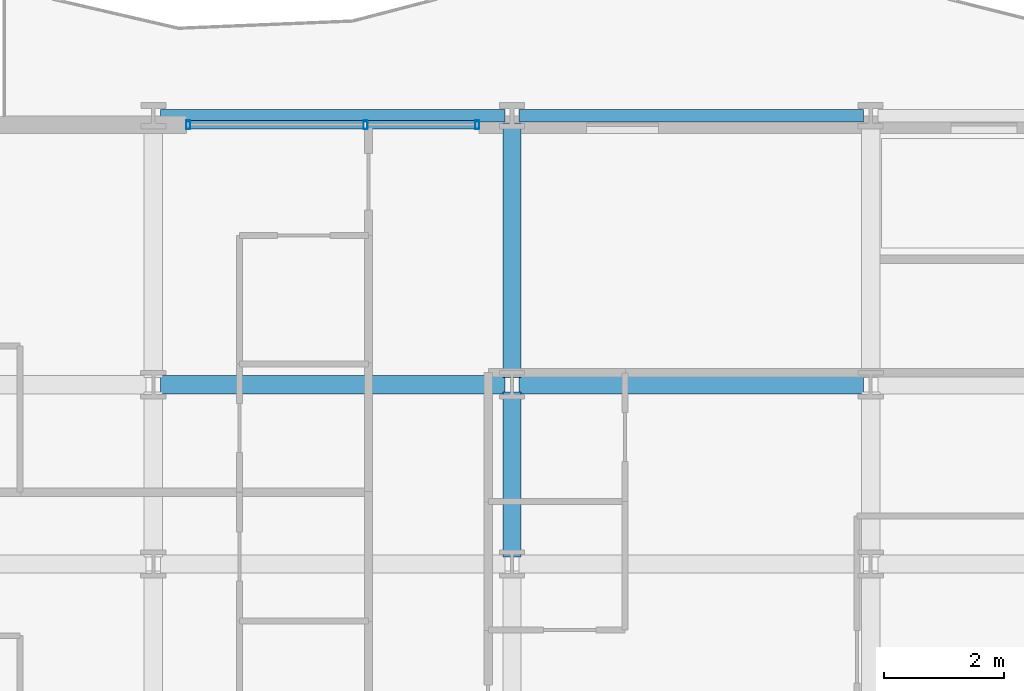
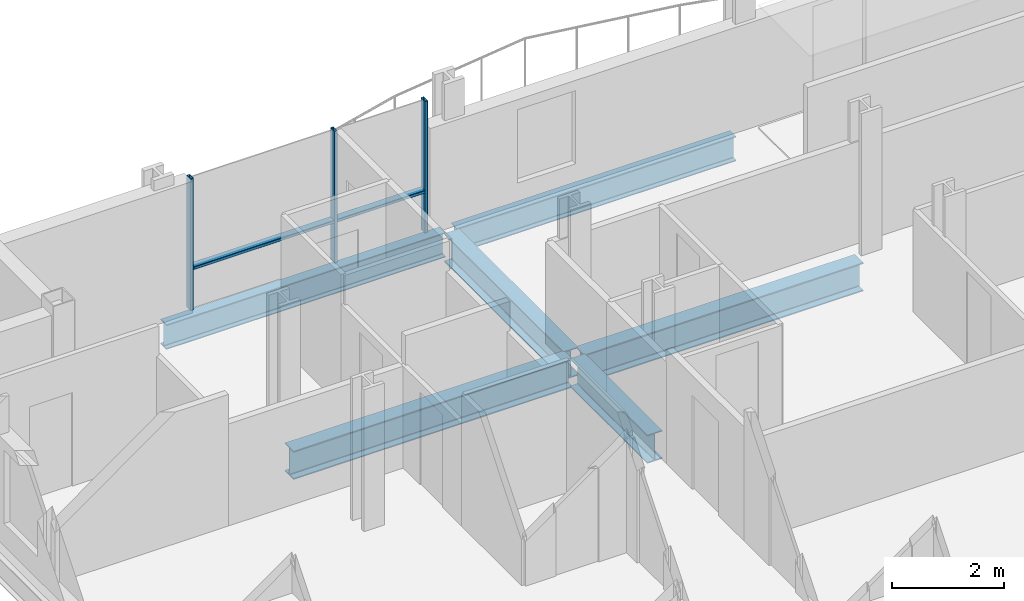
# One storey, part 7 of 39: 6 beams, 5 members, 1 element without a shape of its own.
"""IFC4 building model written with IfcOpenShell, lengths in metres."""

from ifc_helpers import new_model, si_unit, direction, frame, origin, origin_2d, place, context, subcontext, project, spatial, hollow_rectangle, i_section, extrude, material, layer, layer_set, material_profile, profile_set, type_object, element, aggregate, save


model = new_model("IFC4")

# Units and contexts
model_context = context("Model", 3, precision=1e-05, world=origin(), true_north=direction((0.0, 1.0)))
body_context = subcontext(model_context, "Body", "Model", "MODEL_VIEW")
ifc_project = project(units=[si_unit("LENGTHUNIT", "METRE"), si_unit("AREAUNIT", "SQUARE_METRE"), si_unit("VOLUMEUNIT", "CUBIC_METRE"), si_unit("PLANEANGLEUNIT", "RADIAN"), si_unit("MASSUNIT", "GRAM", prefix="KILO")], contexts=[model_context])

# Site, building, storey
site_placement = place(None, origin())
site = spatial("IfcSite", under=ifc_project, at=site_placement, CompositionType="ELEMENT")
building_placement = place(site_placement, origin())
building = spatial("IfcBuilding", under=site, at=building_placement, Name="Brevholm Reach", CompositionType="ELEMENT")
storey_placement = place(building_placement, frame((0.0, 0.0, 34.199951171875)))
storey = spatial("IfcBuildingStorey", under=building, at=storey_placement, Name="L08", CompositionType="ELEMENT", Elevation=34.199951171875)

# Beams
ifc_material_1 = material(Name="Structural Steel S355J2", Category="steel")
ifc_material_profile_1 = material_profile(ifc_material_1, i_section(OverallWidth=0.210693359375, OverallDepth=0.53955078125, WebThickness=0.01171875, FlangeThickness=0.018798828125, FilletRadius=0.0126953125, at=origin_2d()), Name="UKB 533x210x109")
ifc_profile_set_1 = profile_set([ifc_material_profile_1], Name="Structural Steel S355J2")
beam_type_1 = type_object("IfcBeamType", Name="BM-SP539", PredefinedType="SPANDREL", material=ifc_profile_set_1)
for number, where, z_axis, x_axis, name in (
    (1, (6.1201171875, 31.0, -0.499755859375), (1.0, 0.0, 0.0), (0.0, 1.0, 0.0), "L08 SP-01B Framing Beam"),
    (2, (12.1201171875, 31.0, -0.499755859375), (1.0, 0.0, 0.0), (0.0, 1.0, 0.0), "L08 SP-01B Framing Beam"),
):
    element("IfcBeam", number, at=place(storey_placement, frame(where, z_axis=z_axis, x_axis=x_axis)), inside=storey, type_object=beam_type_1, Name=name, PredefinedType="SPANDREL", context=body_context, shape_type="SweptSolid", body=[
        extrude(i_section(OverallWidth=0.210693359375, OverallDepth=0.53955078125, WebThickness=0.01171875, FlangeThickness=0.018798828125, FilletRadius=0.0126953125, at=origin_2d()), origin(), (0.0, 0.0, 1.0), 5.759765625),
    ])
ifc_material_2 = material(Name="Structural Steel S355J2", Category="steel")
ifc_material_profile_2 = material_profile(ifc_material_2, i_section(OverallWidth=0.30712890625, OverallDepth=0.6201171875, WebThickness=0.01416015625, FlangeThickness=0.023681640625, FilletRadius=0.0166015625, at=origin_2d()), Name="UKB 610x305x179")
ifc_profile_set_2 = profile_set([ifc_material_profile_2], Name="Structural Steel S355J2")
beam_type_2 = type_object("IfcBeamType", Name="BM-UKB610H", PredefinedType="USERDEFINED", material=ifc_profile_set_2)
for number, where, z_axis, x_axis, name in (
    (3, (6.1201171875, 26.5, -0.5400390625), (1.0, 0.0, 0.0), (0.0, 1.0, 0.0), "L08 G-06 Framing Beam"),
    (4, (12.1201171875, 26.5, -0.5400390625), (1.0, 0.0, 0.0), (0.0, 1.0, 0.0), "L08 G-06 Framing Beam"),
):
    element("IfcBeam", number, at=place(storey_placement, frame(where, z_axis=z_axis, x_axis=x_axis)), inside=storey, type_object=beam_type_2, Name=name, ObjectType="GIRDER", PredefinedType="USERDEFINED", context=body_context, shape_type="SweptSolid", body=[
        extrude(i_section(OverallWidth=0.30712890625, OverallDepth=0.6201171875, WebThickness=0.01416015625, FlangeThickness=0.023681640625, FilletRadius=0.0166015625, at=origin_2d()), origin(), (0.0, 0.0, 1.0), 5.759765625),
    ])
beam_1_placement = place(storey_placement, frame((12.0, 23.6201171875, -0.5400390625), z_axis=(0.0, 1.0, 0.0), x_axis=(-1.0, 0.0, 0.0)))
element("IfcBeam", 5, at=beam_1_placement, inside=storey, type_object=beam_type_2, Name="L08 G-06 Framing Beam", ObjectType="GIRDER", PredefinedType="USERDEFINED", context=body_context, shape_type="SweptSolid", body=[
    extrude(i_section(OverallWidth=0.30712890625, OverallDepth=0.6201171875, WebThickness=0.01416015625, FlangeThickness=0.023681640625, FilletRadius=0.0166015625, at=origin_2d()), origin(), (0.0, 0.0, 1.0), 2.759765625),
])
beam_2_placement = place(storey_placement, frame((12.0, 26.6201171875, -0.5400390625), z_axis=(0.0, 1.0, 0.0), x_axis=(-1.0, 0.0, 0.0)))
element("IfcBeam", 6, at=beam_2_placement, inside=storey, type_object=beam_type_2, Name="L08 G-06 Framing Beam", ObjectType="GIRDER", PredefinedType="USERDEFINED", context=body_context, shape_type="SweptSolid", body=[
    extrude(i_section(OverallWidth=0.30712890625, OverallDepth=0.6201171875, WebThickness=0.01416015625, FlangeThickness=0.023681640625, FilletRadius=0.0166015625, at=origin_2d()), origin(), (0.0, 0.0, 1.0), 4.259765625),
])

# Curtain wall, members
ifc_material_3 = material(Name="Dark Anodised Aluminium 6063-T6 and Solar-Control Glass", Category="aluminium")
ifc_layer = layer(ifc_material_3, 0.14990234375)
ifc_layer_set = layer_set([ifc_layer], Name="Dark Anodised Aluminium 6063-T6 and Solar-Control Glass")
curtain_wall_type = type_object("IfcCurtainWallType", Name="CW-01", PredefinedType="NOTDEFINED", material=ifc_layer_set)
curtain_wall_placement = place(storey_placement, origin())
curtain_wall = element("IfcCurtainWall", 7, at=curtain_wall_placement, inside=storey, type_object=curtain_wall_type, Name="L08 Curtain Wall CW-01", PredefinedType="NOTDEFINED")
ifc_material_4 = material(Name="Dark Anodised Aluminium 6063-T6", Category="aluminium")
ifc_material_profile_3 = material_profile(ifc_material_4, hollow_rectangle(XDim=0.06494140625, YDim=0.14990234375, WallThickness=0.0048828125, InnerFilletRadius=0.0048828125, OuterFilletRadius=0.010009765625, at=origin_2d()), Name="RHS 150x65x5")
ifc_profile_set_3 = profile_set([ifc_material_profile_3], Name="Dark Anodised Aluminium 6063-T6")
member_type_1 = type_object("IfcMemberType", Name="CWM-150", PredefinedType="MULLION", material=ifc_profile_set_3)
member_1_placement = place(storey_placement, frame((6.58251953125, 30.85009765625, 0.0), z_axis=(0.0, 0.0, 1.0), x_axis=(1.0, 0.0, 0.0)))
member_1 = element("IfcMember", 8, at=member_1_placement, type_object=member_type_1, Name="CM-150 Mullion 1", PredefinedType="MULLION", context=body_context, shape_type="SweptSolid", body=[
    extrude(hollow_rectangle(XDim=0.06494140625, YDim=0.14990234375, WallThickness=0.0048828125, InnerFilletRadius=0.0048828125, OuterFilletRadius=0.010009765625, at=origin_2d()), origin(), (0.0, 0.0, 1.0), 2.8701171875),
])
member_2_placement = place(storey_placement, frame((9.550048828125, 30.85009765625, 0.0), z_axis=(0.0, 0.0, 1.0), x_axis=(1.0, 0.0, 0.0)))
member_2 = element("IfcMember", 9, at=member_2_placement, type_object=member_type_1, Name="CM-150 Mullion 2", PredefinedType="MULLION", context=body_context, shape_type="SweptSolid", body=[
    extrude(hollow_rectangle(XDim=0.06494140625, YDim=0.14990234375, WallThickness=0.0048828125, InnerFilletRadius=0.0048828125, OuterFilletRadius=0.010009765625, at=origin_2d()), origin(), (0.0, 0.0, 1.0), 2.8701171875),
])
member_3_placement = place(storey_placement, frame((11.41748046875, 30.85009765625, 0.0), z_axis=(0.0, 0.0, 1.0), x_axis=(1.0, 0.0, 0.0)))
member_3 = element("IfcMember", 10, at=member_3_placement, type_object=member_type_1, Name="CM-150 Mullion 3", PredefinedType="MULLION", context=body_context, shape_type="SweptSolid", body=[
    extrude(hollow_rectangle(XDim=0.06494140625, YDim=0.14990234375, WallThickness=0.0048828125, InnerFilletRadius=0.0048828125, OuterFilletRadius=0.010009765625, at=origin_2d()), origin(), (0.0, 0.0, 1.0), 2.8701171875),
])
ifc_material_5 = material(Name="Dark Anodised Aluminium 6063-T6", Category="aluminium")
ifc_material_profile_4 = material_profile(ifc_material_5, hollow_rectangle(XDim=0.06494140625, YDim=0.14990234375, WallThickness=0.0048828125, InnerFilletRadius=0.0048828125, OuterFilletRadius=0.010009765625, at=origin_2d()), Name="RHS 150x65x5")
ifc_profile_set_4 = profile_set([ifc_material_profile_4], Name="Dark Anodised Aluminium 6063-T6")
member_type_2 = type_object("IfcMemberType", Name="CWT-150", PredefinedType="NOTDEFINED", material=ifc_profile_set_4)
member_4_placement = place(storey_placement, frame((6.614990234375, 30.85009765625, 0.900146484375), z_axis=(1.0, 0.0, 0.0), x_axis=(0.0, 0.0, 1.0)))
member_4 = element("IfcMember", 11, at=member_4_placement, type_object=member_type_2, Name="CT-150 Transom 1.1", ObjectType="TRANSOM", PredefinedType="USERDEFINED", context=body_context, shape_type="SweptSolid", body=[
    extrude(hollow_rectangle(XDim=0.06494140625, YDim=0.14990234375, WallThickness=0.0048828125, InnerFilletRadius=0.0048828125, OuterFilletRadius=0.010009765625, at=origin_2d()), origin(), (0.0, 0.0, 1.0), 2.902587890625),
])
member_5_placement = place(storey_placement, frame((9.58251953125, 30.85009765625, 0.900146484375), z_axis=(1.0, 0.0, 0.0), x_axis=(0.0, 0.0, 1.0)))
member_5 = element("IfcMember", 12, at=member_5_placement, type_object=member_type_2, Name="CT-150 Transom 2.1", ObjectType="TRANSOM", PredefinedType="USERDEFINED", context=body_context, shape_type="SweptSolid", body=[
    extrude(hollow_rectangle(XDim=0.06494140625, YDim=0.14990234375, WallThickness=0.0048828125, InnerFilletRadius=0.0048828125, OuterFilletRadius=0.010009765625, at=origin_2d()), origin(), (0.0, 0.0, 1.0), 1.802490234375),
])
aggregate(curtain_wall, [member_1, member_2, member_3, member_4, member_5])

save(model, "model.ifc")
